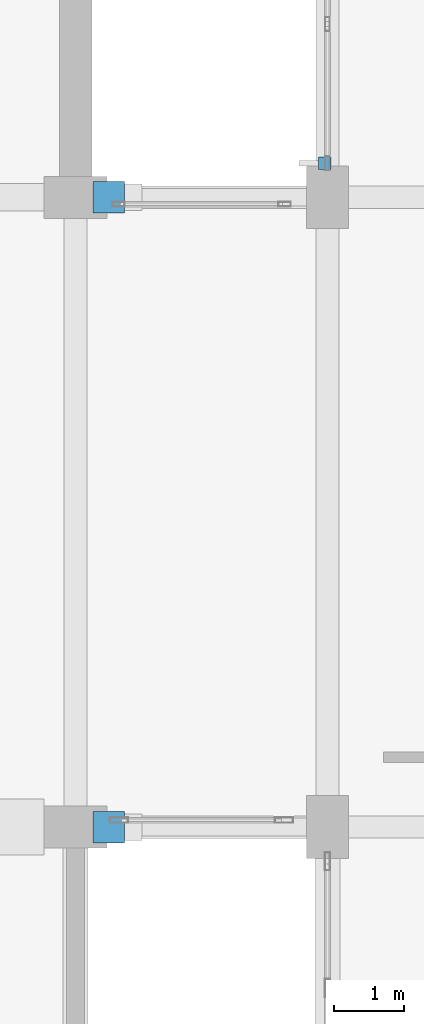
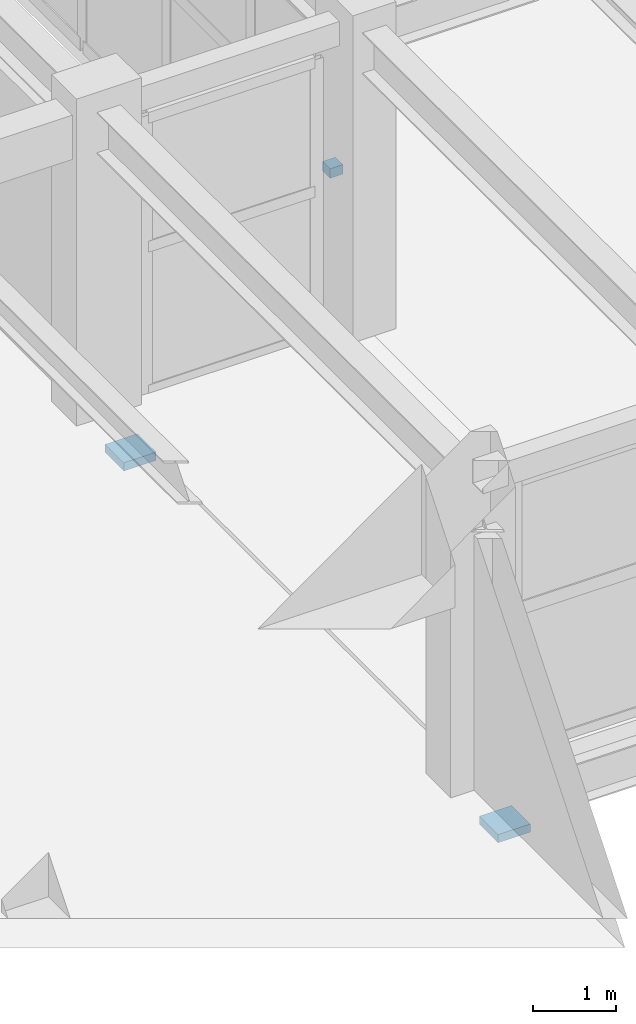
# One storey, part 70 of 85: 3 discrete accessories.
"""IFC4 building model written with IfcOpenShell, lengths in metres."""

from ifc_helpers import new_model, si_unit, direction, frame, origin, origin_2d, place, context, subcontext, project, spatial, rectangle, extrude, material, layer, layer_set, type_object, element, save


model = new_model("IFC4")

# Units and contexts
model_context = context("Model", 3, precision=1e-05, world=origin(), true_north=direction((0.0, 1.0)))
body_context = subcontext(model_context, "Body", "Model", "MODEL_VIEW")
ifc_project = project(units=[si_unit("LENGTHUNIT", "METRE"), si_unit("AREAUNIT", "SQUARE_METRE"), si_unit("VOLUMEUNIT", "CUBIC_METRE"), si_unit("PLANEANGLEUNIT", "RADIAN"), si_unit("MASSUNIT", "GRAM", prefix="KILO")], contexts=[model_context])

# Site, building, storey
site_placement = place(None, origin())
site = spatial("IfcSite", under=ifc_project, at=site_placement, CompositionType="ELEMENT")
building_placement = place(site_placement, origin())
building = spatial("IfcBuilding", under=site, at=building_placement, Name="Vaelkrest Opera House", CompositionType="ELEMENT")
storey_placement = place(building_placement, frame((0.0, 0.0, 10.199951171875)))
storey = spatial("IfcBuildingStorey", under=building, at=storey_placement, Name="L02", CompositionType="ELEMENT", Elevation=10.199951171875)

# Discrete accessories
ifc_material_1 = material(Name="Steel A572 Gr50", Category="steel")
ifc_layer_1 = layer(ifc_material_1, 0.139892578125)
ifc_layer_set_1 = layer_set([ifc_layer_1], Name="Steel A572 Gr50")
discrete_accessory_type_1 = type_object("IfcDiscreteAccessoryType", Name="BRK01", PredefinedType="BRACKET", material=ifc_layer_set_1)
discrete_accessory_placement = place(storey_placement, frame((33.56005859375, 1.68310546875, 1.84423828125), z_axis=(0.0, 0.0, 1.0), x_axis=(-1.0, 0.0, 0.0)))
element("IfcDiscreteAccessory", 1, at=discrete_accessory_placement, inside=storey, type_object=discrete_accessory_type_1, Name="Shading fin bracket 20", PredefinedType="BRACKET", context=body_context, shape_type="SweptSolid", body=[
    extrude(rectangle(XDim=0.179931640625, YDim=0.179931640625, at=origin_2d()), origin(), (0.0, 0.0, 1.0), 0.139892578125),
])
ifc_material_2 = material(Name="PTFE elastomeric bearing Steel A572 Gr50", Category="steel")
ifc_layer_2 = layer(ifc_material_2, 0.1201171875)
ifc_layer_set_2 = layer_set([ifc_layer_2], Name="PTFE elastomeric bearing Steel A572 Gr50")
discrete_accessory_type_2 = type_object("IfcDiscreteAccessoryType", Name="SB01", PredefinedType="USERDEFINED", material=ifc_layer_set_2)
for number, where, z_axis, x_axis, name in (
    (2, (30.47509765625, -7.800048828125, -0.949951171875), (0.0, 0.0, 1.0), (1.0, 0.0, 0.0), "Unguided PTFE sliding bearing BR-E-L02 S"),
    (3, (30.47509765625, 1.199951171875, -0.949951171875), (0.0, 0.0, 1.0), (1.0, 0.0, 0.0), "Unguided PTFE sliding bearing BR-E-L02 N"),
):
    element("IfcDiscreteAccessory", number, at=place(storey_placement, frame(where, z_axis=z_axis, x_axis=x_axis)), inside=storey, type_object=discrete_accessory_type_2, Name=name, ObjectType="SLIDING BEARING", PredefinedType="USERDEFINED", context=body_context, shape_type="SweptSolid", body=[
        extrude(rectangle(XDim=0.449951171875, YDim=0.449951171875, at=origin_2d()), origin(), (0.0, 0.0, 1.0), 0.1201171875),
    ])

save(model, "model.ifc")
